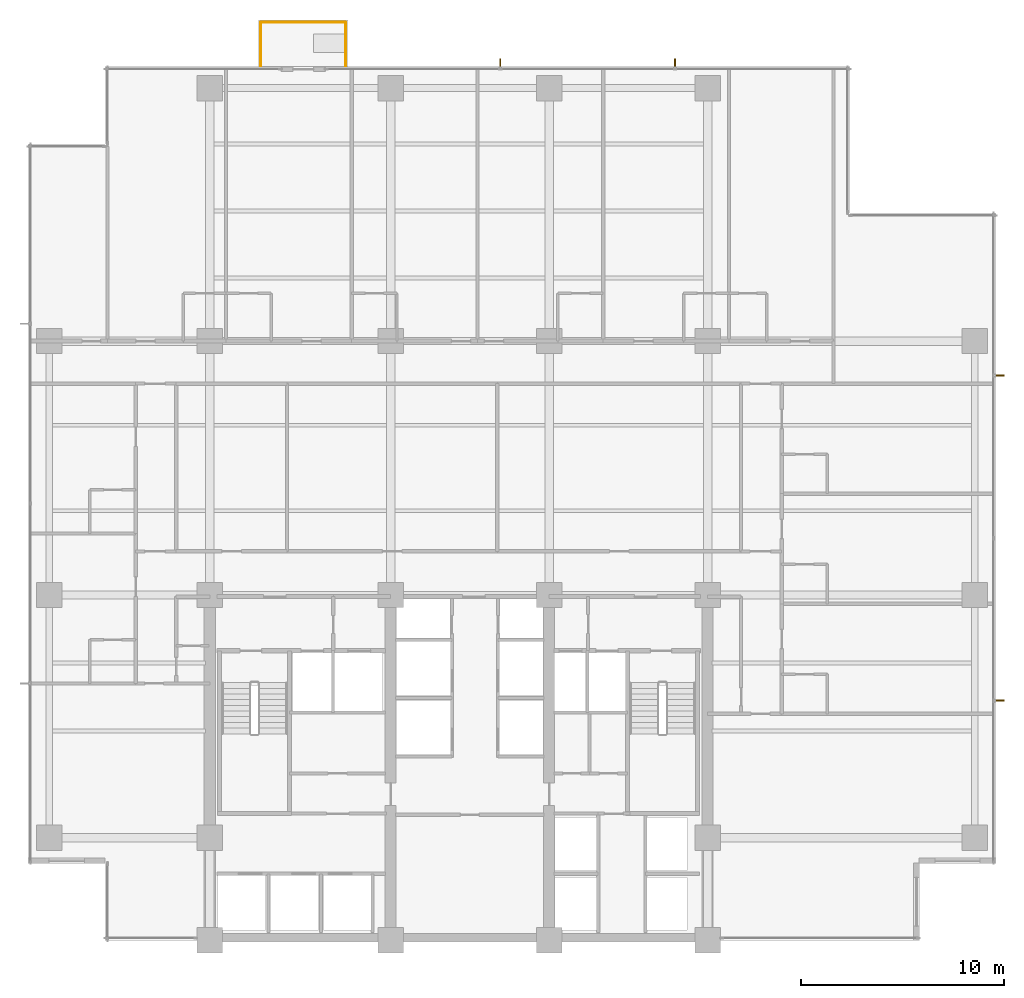
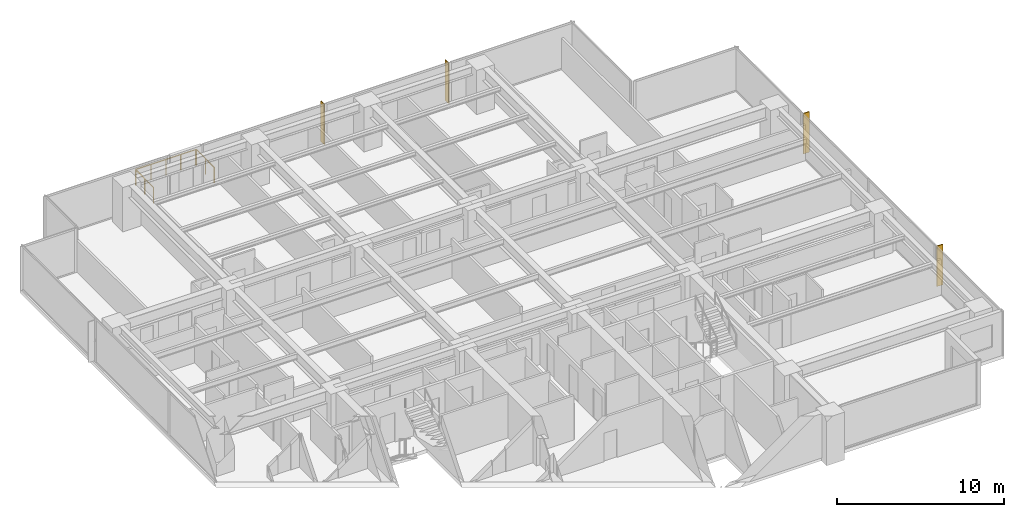
# One storey, part 17 of 17: 4 shading devices, 3 railings.
"""IFC4 building model written with IfcOpenShell, lengths in metres."""

from ifc_helpers import new_model, si_unit, direction, frame, origin, origin_2d, place, context, subcontext, project, spatial, polyline, circle, outline, extrude, material, layer, layer_set, type_object, element, save


model = new_model("IFC4")

# Units and contexts
model_context = context("Model", 3, precision=1e-05, world=origin(), true_north=direction((0.0, 1.0)))
body_context = subcontext(model_context, "Body", "Model", "MODEL_VIEW")
ifc_project = project(units=[si_unit("LENGTHUNIT", "METRE"), si_unit("AREAUNIT", "SQUARE_METRE"), si_unit("VOLUMEUNIT", "CUBIC_METRE"), si_unit("PLANEANGLEUNIT", "RADIAN"), si_unit("MASSUNIT", "GRAM", prefix="KILO")], contexts=[model_context])

# Site, building, storey
site_placement = place(None, origin())
site = spatial("IfcSite", under=ifc_project, at=site_placement, CompositionType="ELEMENT")
building_placement = place(site_placement, origin())
building = spatial("IfcBuilding", under=site, at=building_placement, Name="Qalmaran Belvedere Hotel", CompositionType="ELEMENT")
storey_placement = place(building_placement, frame((0.0, 0.0, 105.699951171875)))
storey = spatial("IfcBuildingStorey", under=building, at=storey_placement, Name="L26", CompositionType="ELEMENT", Elevation=105.699951171875)

# Shading devices
ifc_material = material(Name="Anodised Bronze Aluminium", Category="aluminium")
ifc_layer = layer(ifc_material, 0.06494140625, Name="Anodised Bronze Aluminium")
ifc_layer_set = layer_set([ifc_layer], Name="Anodised Bronze Aluminium")
shading_device_type = type_object("IfcShadingDeviceType", Name="FIN-BRNZ-420", PredefinedType="USERDEFINED", material=ifc_layer_set)
shading_device_1_placement = place(storey_placement, frame((0.0, 0.0, 0.16015625)))
element("IfcShadingDevice", 1, at=shading_device_1_placement, inside=storey, type_object=shading_device_type, Name="L26 Bronze Fin 1", ObjectType="FIN", PredefinedType="USERDEFINED", context=body_context, shape_type="SweptSolid", body=[
    extrude(outline(polyline([(58.969970703125, 15.267578125), (59.389892578125, 15.267578125), (59.389892578125, 15.33251953125), (58.969970703125, 15.33251953125), (58.969970703125, 15.267578125)])), origin(), (0.0, 0.0, 1.0), 2.9599609375),
])
shading_device_2_placement = place(storey_placement, frame((0.0, 0.0, 0.16015625)))
element("IfcShadingDevice", 2, at=shading_device_2_placement, inside=storey, type_object=shading_device_type, Name="L26 Bronze Fin 3", ObjectType="FIN", PredefinedType="USERDEFINED", context=body_context, shape_type="SweptSolid", body=[
    extrude(outline(polyline([(58.969970703125, 31.267578125), (59.389892578125, 31.267578125), (59.389892578125, 31.33251953125), (58.969970703125, 31.33251953125), (58.969970703125, 31.267578125)])), origin(), (0.0, 0.0, 1.0), 2.9599609375),
])
shading_device_3_placement = place(storey_placement, frame((0.0, 0.0, 0.16015625)))
element("IfcShadingDevice", 3, at=shading_device_3_placement, inside=storey, type_object=shading_device_type, Name="L26 Bronze Fin 1", ObjectType="FIN", PredefinedType="USERDEFINED", context=body_context, shape_type="SweptSolid", body=[
    extrude(outline(polyline([(43.232421875, 46.469970703125), (43.232421875, 46.889892578125), (43.16748046875, 46.889892578125), (43.16748046875, 46.469970703125), (43.232421875, 46.469970703125)])), origin(), (0.0, 0.0, 1.0), 2.9599609375),
])
shading_device_4_placement = place(storey_placement, frame((0.0, 0.0, 0.16015625)))
element("IfcShadingDevice", 4, at=shading_device_4_placement, inside=storey, type_object=shading_device_type, Name="L26 Bronze Fin 2", ObjectType="FIN", PredefinedType="USERDEFINED", context=body_context, shape_type="SweptSolid", body=[
    extrude(outline(polyline([(34.632568359375, 46.469970703125), (34.632568359375, 46.889892578125), (34.5673828125, 46.889892578125), (34.5673828125, 46.469970703125), (34.632568359375, 46.469970703125)])), origin(), (0.0, 0.0, 1.0), 2.9599609375),
])

# Railings
railing_type = type_object("IfcRailingType", Name="GRD-BAL-1150", PredefinedType="BALUSTRADE", material=ifc_material)
railing_1_placement = place(storey_placement, frame((22.800048828125, 46.534912109375, 0.0)))
element("IfcRailing", 5, at=railing_1_placement, inside=storey, type_object=railing_type, Name="L26 Guardrail BAL-L26-N-1", PredefinedType="BALUSTRADE", context=body_context, shape_type="SweptSolid", body=[
    extrude(circle(Radius=0.02392578125, at=origin_2d()), frame((0.0, 0.0, 1.1259765625), z_axis=(0.0, 1.0, 0.0), x_axis=(-1.0, 0.0, 0.0)), (0.0, 0.0, 1.0), 2.130126953125),
    extrude(circle(Radius=0.02099609375, at=origin_2d()), origin(), (0.0, 0.0, 1.0), 1.101806640625),
    extrude(circle(Radius=0.02099609375, at=origin_2d()), frame((0.0, 1.06494140625, 0.0)), (0.0, 0.0, 1.0), 1.101806640625),
    extrude(circle(Radius=0.02099609375, at=origin_2d()), frame((0.0, 2.130126953125, 0.0)), (0.0, 0.0, 1.0), 1.101806640625),
])
railing_2_placement = place(storey_placement, frame((22.8349609375, 48.699951171875, 0.0)))
element("IfcRailing", 6, at=railing_2_placement, inside=storey, type_object=railing_type, Name="L26 Guardrail BAL-L26-N-2", PredefinedType="BALUSTRADE", context=body_context, shape_type="SweptSolid", body=[
    extrude(circle(Radius=0.02392578125, at=origin_2d()), frame((0.0, 0.0, 1.1259765625), z_axis=(1.0, 0.0, 0.0), x_axis=(0.0, 1.0, 0.0)), (0.0, 0.0, 1.0), 4.130126953125),
    extrude(circle(Radius=0.02099609375, at=origin_2d()), origin(), (0.0, 0.0, 1.0), 1.101806640625),
    extrude(circle(Radius=0.02099609375, at=origin_2d()), frame((1.032470703125, 0.0, 0.0)), (0.0, 0.0, 1.0), 1.101806640625),
    extrude(circle(Radius=0.02099609375, at=origin_2d()), frame((2.06494140625, 0.0, 0.0)), (0.0, 0.0, 1.0), 1.101806640625),
    extrude(circle(Radius=0.02099609375, at=origin_2d()), frame((3.09765625, 0.0, 0.0)), (0.0, 0.0, 1.0), 1.101806640625),
    extrude(circle(Radius=0.02099609375, at=origin_2d()), frame((4.130126953125, 0.0, 0.0)), (0.0, 0.0, 1.0), 1.101806640625),
])
railing_3_placement = place(storey_placement, frame((27.0, 48.6650390625, 0.0)))
element("IfcRailing", 7, at=railing_3_placement, inside=storey, type_object=railing_type, Name="L26 Guardrail BAL-L26-N-3", PredefinedType="BALUSTRADE", context=body_context, shape_type="SweptSolid", body=[
    extrude(circle(Radius=0.02392578125, at=origin_2d()), frame((0.0, 0.0, 1.1259765625), z_axis=(0.0, -1.0, 0.0), x_axis=(1.0, 0.0, 0.0)), (0.0, 0.0, 1.0), 2.130126953125),
    extrude(circle(Radius=0.02099609375, at=origin_2d()), origin(), (0.0, 0.0, 1.0), 1.101806640625),
    extrude(circle(Radius=0.02099609375, at=origin_2d()), frame((0.0, -1.06494140625, 0.0)), (0.0, 0.0, 1.0), 1.101806640625),
    extrude(circle(Radius=0.02099609375, at=origin_2d()), frame((0.0, -2.130126953125, 0.0)), (0.0, 0.0, 1.0), 1.101806640625),
])

save(model, "model.ifc")
